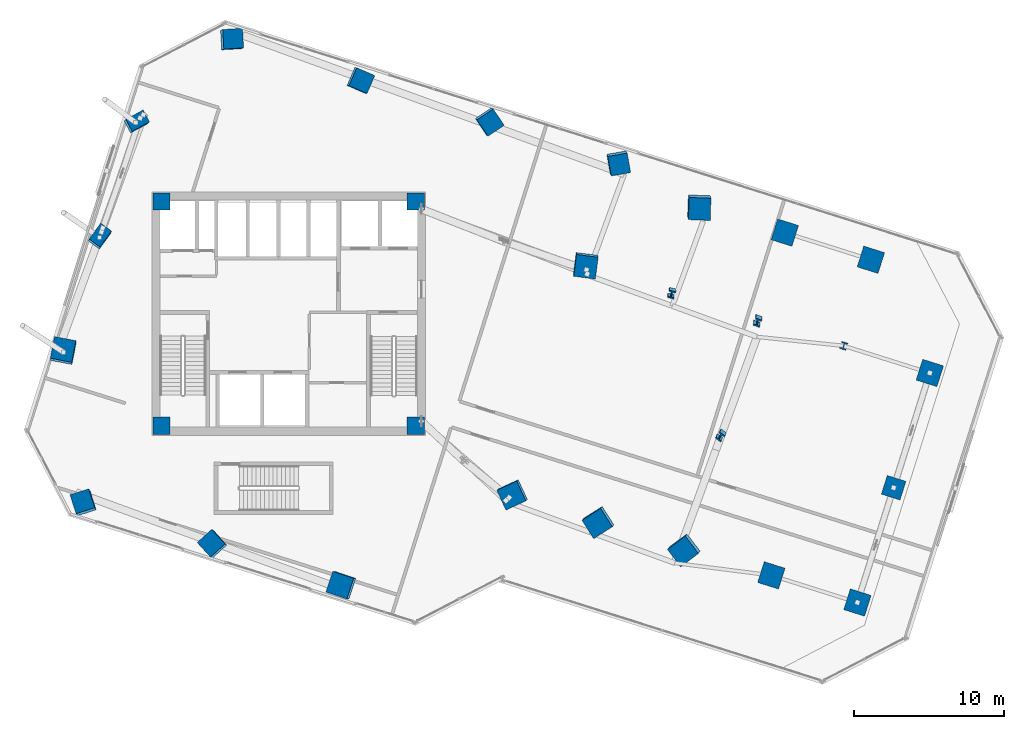
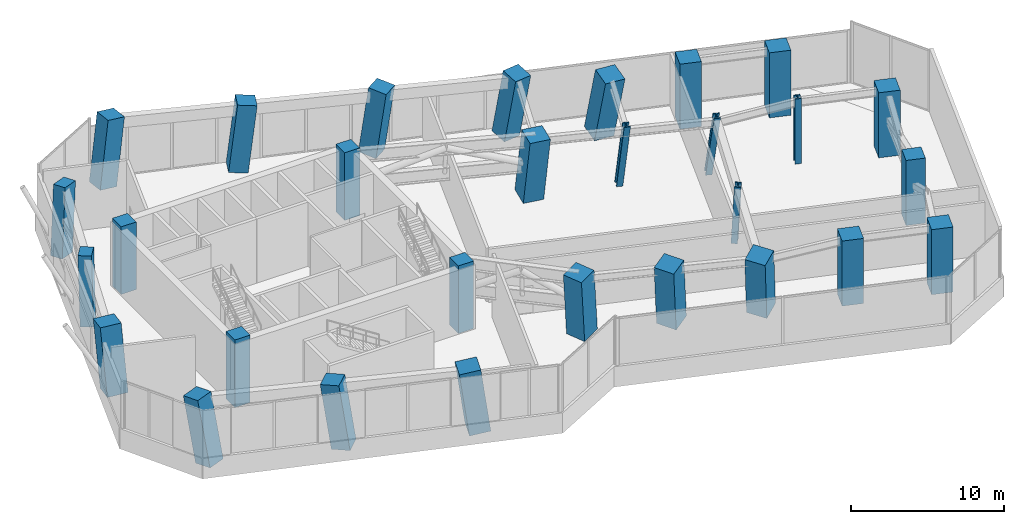
# One storey, part 1 of 29: 29 columns.
"""IFC4 building model written with IfcOpenShell, lengths in metres."""

from ifc_helpers import new_model, si_unit, direction, frame, origin, origin_2d, place, context, subcontext, project, spatial, rectangle, i_section, extrude, clip, halfspace, source, transform, mapped, material, material_profile, profile_set, type_object, element, save


model = new_model("IFC4")

# Units and contexts
model_context = context("Model", 3, precision=1e-05, world=origin(), true_north=direction((0.0, 1.0)))
body_context = subcontext(model_context, "Body", "Model", "MODEL_VIEW")
ifc_project = project(units=[si_unit("LENGTHUNIT", "METRE"), si_unit("AREAUNIT", "SQUARE_METRE"), si_unit("VOLUMEUNIT", "CUBIC_METRE"), si_unit("PLANEANGLEUNIT", "RADIAN"), si_unit("MASSUNIT", "GRAM", prefix="KILO")], contexts=[model_context])

# Site, building, storey
site_placement = place(None, origin())
site = spatial("IfcSite", under=ifc_project, at=site_placement, CompositionType="ELEMENT")
building_placement = place(site_placement, origin())
building = spatial("IfcBuilding", under=site, at=building_placement, Name="Torre Montelarca", CompositionType="ELEMENT")
storey_placement = place(building_placement, frame((0.0, 0.0, 122.199951171875)))
storey = spatial("IfcBuildingStorey", under=building, at=storey_placement, Name="L27", CompositionType="ELEMENT", Elevation=122.199951171875)

# Columns
ifc_material_1 = material(Name="Concrete C55/67", Category="concrete")
ifc_material_profile_1 = material_profile(ifc_material_1, rectangle(XDim=0.89990234375, YDim=1.300048828125, at=origin_2d()), Name="RC1300X900", Category="concrete")
ifc_profile_set_1 = profile_set([ifc_material_profile_1], Name="Concrete C55/67")
column_type_1 = type_object("IfcColumnType", Name="COL-PIL1300-EXT", PredefinedType="PILASTER", material=ifc_profile_set_1)
column_1_placement = place(storey_placement, frame((5.429931640625, 37.06689453125, 0.0), z_axis=(0.04336338825, 0.12771592965, 0.990862380895), x_axis=(0.807287857102, -0.588762554931, 0.040558225889)))
element("IfcColumn", 1, at=column_1_placement, inside=storey, type_object=column_type_1, Name="L27 Column 1W/E", PredefinedType="PILASTER", context=body_context, shape_type="Clipping", body=[
    clip(clip(extrude(rectangle(XDim=0.89990234375, YDim=1.300048828125, at=origin_2d()), origin(), (0.0, 0.0, 1.0), 5.449951171875), halfspace(frame((0.0, 0.0, 0.103515625), z_axis=(0.0, 0.0, -1.0), x_axis=(1.0, 0.0, 0.0)), False)), halfspace(frame((0.0, 0.0, 5.346435546875), z_axis=(0.0, 0.0, 1.0), x_axis=(1.0, 0.0, 0.0)), False)),
])
column_2_placement = place(storey_placement, frame((7.83544921875, 44.696533203125, 0.0), z_axis=(0.103805269581, 0.106934627407, 0.988832367729), x_axis=(0.477206893163, -0.877647545982, 0.044814798321)))
element("IfcColumn", 2, at=column_2_placement, inside=storey, type_object=column_type_1, Name="L27 Column 1W/F", PredefinedType="PILASTER", context=body_context, shape_type="Clipping", body=[
    clip(clip(extrude(rectangle(XDim=0.89990234375, YDim=1.300048828125, at=origin_2d()), origin(), (0.0, 0.0, 1.0), 5.461181640625), halfspace(frame((0.0, 0.0, 0.114501953125), z_axis=(0.0, 0.0, -1.0), x_axis=(1.0, 0.0, 0.0)), False)), halfspace(frame((0.0, 0.0, 5.3466796875), z_axis=(0.0, 0.0, 1.0), x_axis=(1.0, 0.0, 0.0)), False)),
])
ifc_material_2 = material(Name="Concrete C70/85", Category="concrete")
ifc_material_profile_2 = material_profile(ifc_material_2, rectangle(XDim=1.300048828125, YDim=1.300048828125, at=origin_2d()), Name="RC1300X1300", Category="concrete")
ifc_profile_set_2 = profile_set([ifc_material_profile_2], Name="Concrete C70/85")
column_type_2 = type_object("IfcColumnType", Name="COL-RC1300-EXT", PredefinedType="COLUMN", material=ifc_profile_set_2)
column_3_placement = place(storey_placement, frame((4.406494140625, 19.35498046875, 0.0), z_axis=(-0.09771423164, 0.138261404824, 0.985563652369), x_axis=(0.94988927033, 0.308412767645, 0.050911087835)))
element("IfcColumn", 3, at=column_3_placement, inside=storey, type_object=column_type_2, Name="L27 Column 2/CS", PredefinedType="COLUMN", context=body_context, shape_type="Clipping", body=[
    clip(clip(extrude(rectangle(XDim=1.300048828125, YDim=1.300048828125, at=origin_2d()), origin(), (0.0, 0.0, 1.0), 5.479248046875), halfspace(frame((0.0, 0.0, 0.140869140625), z_axis=(0.0, 0.0, -1.0), x_axis=(1.0, 0.0, 0.0)), False)), halfspace(frame((0.0, 0.0, 5.33837890625), z_axis=(0.0, 0.0, 1.0), x_axis=(1.0, 0.0, 0.0)), False)),
])
column_4_placement = place(storey_placement, frame((14.13427734375, 50.20751953125, 0.0), z_axis=(0.146501299411, 0.055635665671, 0.987644694197), x_axis=(0.060948235274, -0.997027925569, 0.047123542444)))
element("IfcColumn", 4, at=column_4_placement, inside=storey, type_object=column_type_2, Name="L27 Column 2/GN", PredefinedType="COLUMN", context=body_context, shape_type="Clipping", body=[
    clip(clip(extrude(rectangle(XDim=1.300048828125, YDim=1.300048828125, at=origin_2d()), origin(), (0.0, 0.0, 1.0), 5.4677734375), halfspace(frame((0.0, 0.0, 0.130126953125), z_axis=(0.0, 0.0, -1.0), x_axis=(1.0, 0.0, 0.0)), False)), halfspace(frame((0.0, 0.0, 5.337646484375), z_axis=(0.0, 0.0, 1.0), x_axis=(1.0, 0.0, 0.0)), False)),
])
column_5_placement = place(storey_placement, frame((12.989990234375, 16.6484375, 0.0), z_axis=(-0.121304858025, 0.070768627504, 0.990089355958), x_axis=(0.737750355409, 0.673751419219, 0.042230773063)))
element("IfcColumn", 5, at=column_5_placement, inside=storey, type_object=column_type_2, Name="L27 Column 3/CS", PredefinedType="COLUMN", context=body_context, shape_type="Clipping", body=[
    clip(clip(extrude(rectangle(XDim=1.300048828125, YDim=1.300048828125, at=origin_2d()), origin(), (0.0, 0.0, 1.0), 5.4541015625), halfspace(frame((0.0, 0.0, 0.116455078125), z_axis=(0.0, 0.0, -1.0), x_axis=(1.0, 0.0, 0.0)), False)), halfspace(frame((0.0, 0.0, 5.337646484375), z_axis=(0.0, 0.0, 1.0), x_axis=(1.0, 0.0, 0.0)), False)),
])
column_6_placement = place(storey_placement, frame((22.7177734375, 47.501220703125, 0.0), z_axis=(0.12398644316, -0.012470416497, 0.992205548576), x_axis=(-0.392306422919, -0.919071027452, 0.037471549678)))
element("IfcColumn", 6, at=column_6_placement, inside=storey, type_object=column_type_2, Name="L27 Column 3/GN", PredefinedType="COLUMN", context=body_context, shape_type="Clipping", body=[
    clip(clip(extrude(rectangle(XDim=1.300048828125, YDim=1.300048828125, at=origin_2d()), origin(), (0.0, 0.0, 1.0), 5.442626953125), halfspace(frame((0.0, 0.0, 0.103271484375), z_axis=(0.0, 0.0, -1.0), x_axis=(1.0, 0.0, 0.0)), False)), halfspace(frame((0.0, 0.0, 5.33935546875), z_axis=(0.0, 0.0, 1.0), x_axis=(1.0, 0.0, 0.0)), False)),
])
column_7_placement = place(storey_placement, frame((31.301025390625, 44.794921875, 0.0), z_axis=(0.100781109413, -0.080741449311, 0.9916269391), x_axis=(-0.829021353001, -0.557867085227, 0.038831836026)))
element("IfcColumn", 7, at=column_7_placement, inside=storey, type_object=column_type_2, Name="L27 Column 4/GN", PredefinedType="COLUMN", context=body_context, shape_type="Clipping", body=[
    clip(clip(extrude(rectangle(XDim=1.300048828125, YDim=1.300048828125, at=origin_2d()), origin(), (0.0, 0.0, 1.0), 5.44580078125), halfspace(frame((0.0, 0.0, 0.10693359375), z_axis=(0.0, 0.0, -1.0), x_axis=(1.0, 0.0, 0.0)), False)), halfspace(frame((0.0, 0.0, 5.3388671875), z_axis=(0.0, 0.0, 1.0), x_axis=(1.0, 0.0, 0.0)), False)),
])
column_8_placement = place(storey_placement, frame((39.884521484375, 42.088623046875, 0.0), z_axis=(0.077158814272, -0.148166319261, 0.985947898835), x_axis=(-0.982829934342, -0.177544027357, 0.050233838302)))
element("IfcColumn", 8, at=column_8_placement, inside=storey, type_object=column_type_2, Name="L27 Column 5/GN", PredefinedType="COLUMN", context=body_context, shape_type="Clipping", body=[
    clip(clip(extrude(rectangle(XDim=1.300048828125, YDim=1.300048828125, at=origin_2d()), origin(), (0.0, 0.0, 1.0), 5.47705078125), halfspace(frame((0.0, 0.0, 0.138916015625), z_axis=(0.0, 0.0, -1.0), x_axis=(1.0, 0.0, 0.0)), False)), halfspace(frame((0.0, 0.0, 5.338134765625), z_axis=(0.0, 0.0, 1.0), x_axis=(1.0, 0.0, 0.0)), False)),
])
ifc_material_profile_3 = material_profile(ifc_material_2, rectangle(XDim=1.449951171875, YDim=1.449951171875, at=origin_2d()), Name="RC1450X1450", Category="concrete")
ifc_profile_set_3 = profile_set([ifc_material_profile_3], Name="Concrete C70/85")
column_type_3 = type_object("IfcColumnType", Name="COL-RC1450", PredefinedType="COLUMN", material=ifc_profile_set_3)
for number, where, z_axis, x_axis, name in (
    (9, (32.923095703125, 20.010009765625, 0.0), (-0.097956530898, -0.089352846574, 0.991171320642), (-0.422523517598, 0.905474614008, 0.039869793881), "L27 Column 5/D"),
    (10, (37.734619140625, 35.26953125, 0.0), (0.023346263577, -0.130577758281, 0.9911631556), (-0.991286264564, 0.12554074093, 0.039888144261), "L27 Column 5/F"),
):
    element("IfcColumn", number, at=place(storey_placement, frame(where, z_axis=z_axis, x_axis=x_axis)), inside=storey, type_object=column_type_3, Name=name, PredefinedType="COLUMN", context=body_context, shape_type="Clipping", body=[
        clip(clip(extrude(rectangle(XDim=1.449951171875, YDim=1.449951171875, at=origin_2d()), origin(), (0.0, 0.0, 1.0), 5.4482421875), halfspace(frame((0.0, 0.0, 0.122314453125), z_axis=(0.0, 0.0, -1.0), x_axis=(1.0, 0.0, 0.0)), False)), halfspace(frame((0.0, 0.0, 5.325927734375), z_axis=(0.0, 0.0, 1.0), x_axis=(1.0, 0.0, 0.0)), False)),
    ])
column_9_placement = place(storey_placement, frame((38.6455078125, 18.205810546875, 0.0), z_axis=(-0.112659680016, -0.133980891682, 0.984559250204), x_axis=(-0.539415178106, 0.840393001033, 0.052639048661)))
element("IfcColumn", 11, at=column_9_placement, inside=storey, type_object=column_type_3, Name="L27 Column 6/D", PredefinedType="COLUMN", context=body_context, shape_type="Clipping", body=[
    clip(clip(extrude(rectangle(XDim=1.449951171875, YDim=1.449951171875, at=origin_2d()), origin(), (0.0, 0.0, 1.0), 5.48486328125), halfspace(frame((0.0, 0.0, 0.162353515625), z_axis=(0.0, 0.0, -1.0), x_axis=(1.0, 0.0, 0.0)), False)), halfspace(frame((0.0, 0.0, 5.322509765625), z_axis=(0.0, 0.0, 1.0), x_axis=(1.0, 0.0, 0.0)), False)),
])
column_10_placement = place(storey_placement, frame((45.260986328125, 39.1875, 0.0), z_axis=(0.052838127641, -0.189410502862, 0.98047528968), x_axis=(-0.997865082281, 0.027726242647, 0.059131489349)))
element("IfcColumn", 12, at=column_10_placement, inside=storey, type_object=column_type_3, Name="L27 Column 6/G", PredefinedType="COLUMN", context=body_context, shape_type="Clipping", body=[
    clip(clip(extrude(rectangle(XDim=1.449951171875, YDim=1.449951171875, at=origin_2d()), origin(), (0.0, 0.0, 1.0), 5.507568359375), halfspace(frame((0.0, 0.0, 0.18310546875), z_axis=(0.0, 0.0, -1.0), x_axis=(1.0, 0.0, 0.0)), False)), halfspace(frame((0.0, 0.0, 5.324462890625), z_axis=(0.0, 0.0, 1.0), x_axis=(1.0, 0.0, 0.0)), False)),
])
column_11_placement = place(storey_placement, frame((44.367919921875, 16.401611328125, 0.0), z_axis=(-0.126889220924, -0.177583141244, 0.975891056194), x_axis=(-0.605373038396, 0.793231359264, 0.06563150968)))
element("IfcColumn", 13, at=column_11_placement, inside=storey, type_object=column_type_3, Name="L27 Column 7/D", PredefinedType="COLUMN", context=body_context, shape_type="Clipping", body=[
    clip(clip(extrude(rectangle(XDim=1.449951171875, YDim=1.449951171875, at=origin_2d()), origin(), (0.0, 0.0, 1.0), 5.533447265625), halfspace(frame((0.0, 0.0, 0.2041015625), z_axis=(0.0, 0.0, -1.0), x_axis=(1.0, 0.0, 0.0)), False)), halfspace(frame((0.0, 0.0, 5.329345703125), z_axis=(0.0, 0.0, 1.0), x_axis=(1.0, 0.0, 0.0)), False)),
])
ifc_material_profile_4 = material_profile(ifc_material_2, rectangle(XDim=1.449951171875, YDim=1.449951171875, at=origin_2d()), Name="RC1450X1450", Category="concrete")
ifc_profile_set_4 = profile_set([ifc_material_profile_4], Name="Concrete C70/85")
column_type_4 = type_object("IfcColumnType", Name="COL-RC1450-EXT", PredefinedType="COLUMN", material=ifc_profile_set_4)
column_12_placement = place(storey_placement, frame((21.5732421875, 13.942138671875, 0.0), z_axis=(-0.14432009632, 0.002594719649, 0.989527653594), x_axis=(0.314652655865, 0.94821396347, 0.043404903384)))
element("IfcColumn", 14, at=column_12_placement, inside=storey, type_object=column_type_4, Name="L27 Perimeter Mega Column 4/CS", PredefinedType="COLUMN", context=body_context, shape_type="Clipping", body=[
    clip(clip(extrude(rectangle(XDim=1.449951171875, YDim=1.449951171875, at=origin_2d()), origin(), (0.0, 0.0, 1.0), 5.457275390625), halfspace(frame((0.0, 0.0, 0.13330078125), z_axis=(0.0, 0.0, -1.0), x_axis=(1.0, 0.0, 0.0)), False)), halfspace(frame((0.0, 0.0, 5.323974609375), z_axis=(0.0, 0.0, 1.0), x_axis=(1.0, 0.0, 0.0)), False)),
])
column_13_placement = place(storey_placement, frame((3.024169921875, 29.437255859375, 0.0), z_axis=(-0.017256201276, 0.148018866387, 0.988833979347), x_axis=(0.981733191996, -0.184910415573, 0.044811582715)))
element("IfcColumn", 15, at=column_13_placement, inside=storey, type_object=column_type_4, Name="L27 Perimeter Mega Column 1W/D", PredefinedType="COLUMN", context=body_context, shape_type="Clipping", body=[
    clip(clip(extrude(rectangle(XDim=1.449951171875, YDim=1.449951171875, at=origin_2d()), origin(), (0.0, 0.0, 1.0), 5.461181640625), halfspace(frame((0.0, 0.0, 0.1376953125), z_axis=(0.0, 0.0, -1.0), x_axis=(1.0, 0.0, 0.0)), False)), halfspace(frame((0.0, 0.0, 5.323486328125), z_axis=(0.0, 0.0, 1.0), x_axis=(1.0, 0.0, 0.0)), False)),
])
ifc_material_3 = material(Name="Steel ASTM A992 Grade 50", Category="steel")
ifc_material_profile_5 = material_profile(ifc_material_3, i_section(OverallWidth=0.431884765625, OverallDepth=0.498046875, WebThickness=0.0556640625, FlangeThickness=0.0888671875, FilletRadius=0.014892578125, at=origin_2d()), Name="W360X744", Category="steel")
ifc_profile_set_5 = profile_set([ifc_material_profile_5], Name="Steel ASTM A992 Grade 50")
column_type_5 = type_object("IfcColumnType", Name="COL-W360X744", PredefinedType="COLUMN", material=ifc_profile_set_5)
column_14_placement = place(storey_placement, frame((43.456787109375, 33.46533203125, 0.0), z_axis=(0.007878592552, -0.174886949933, 0.984556998108), x_axis=(-0.966074622058, 0.252840966171, 0.052642857461)))
element("IfcColumn", 16, at=column_14_placement, inside=storey, type_object=column_type_5, Name="L27 Column 6/F", PredefinedType="COLUMN", context=body_context, shape_type="Clipping", body=[
    clip(clip(extrude(i_section(OverallWidth=0.431884765625, OverallDepth=0.498046875, WebThickness=0.0556640625, FlangeThickness=0.0888671875, FilletRadius=0.014892578125, at=origin_2d()), origin(), (0.0, 0.0, 1.0), 5.48486328125), halfspace(frame((0.0, 0.0, 0.054443359375), z_axis=(0.0, 0.0, -1.0), x_axis=(1.0, 0.0, 0.0)), False)), halfspace(frame((0.0, 0.0, 5.430419921875), z_axis=(0.0, 0.0, 1.0), x_axis=(1.0, 0.0, 0.0)), False)),
])
column_15_placement = place(storey_placement, frame((46.7734375, 24.03125, 0.0), z_axis=(-0.067285029027, -0.198230006674, 0.977843335777), x_axis=(-0.808599445891, 0.584982341111, 0.062949159587)))
element("IfcColumn", 17, at=column_15_placement, inside=storey, type_object=column_type_5, Name="L27 Column 7/E", PredefinedType="COLUMN", context=body_context, shape_type="Clipping", body=[
    clip(clip(extrude(i_section(OverallWidth=0.431884765625, OverallDepth=0.498046875, WebThickness=0.0556640625, FlangeThickness=0.0888671875, FilletRadius=0.014892578125, at=origin_2d()), origin(), (0.0, 0.0, 1.0), 5.5224609375), halfspace(frame((0.0, 0.0, 0.0654296875), z_axis=(0.0, 0.0, -1.0), x_axis=(1.0, 0.0, 0.0)), False)), halfspace(frame((0.0, 0.0, 5.45703125), z_axis=(0.0, 0.0, 1.0), x_axis=(1.0, 0.0, 0.0)), False)),
])
column_16_placement = place(storey_placement, frame((49.17919921875, 31.660888671875, 0.0), z_axis=(-0.007456359889, -0.218087496632, 0.975900735992), x_axis=(-0.943132584955, 0.325875958776, 0.065618493484)))
element("IfcColumn", 18, at=column_16_placement, inside=storey, type_object=column_type_5, Name="L27 Column 7/F", PredefinedType="COLUMN", context=body_context, shape_type="Clipping", body=[
    clip(clip(extrude(i_section(OverallWidth=0.431884765625, OverallDepth=0.498046875, WebThickness=0.0556640625, FlangeThickness=0.0888671875, FilletRadius=0.014892578125, at=origin_2d()), origin(), (0.0, 0.0, 1.0), 5.533447265625), halfspace(frame((0.0, 0.0, 0.068359375), z_axis=(0.0, 0.0, -1.0), x_axis=(1.0, 0.0, 0.0)), False)), halfspace(frame((0.0, 0.0, 5.465087890625), z_axis=(0.0, 0.0, 1.0), x_axis=(1.0, 0.0, 0.0)), False)),
])
ifc_material_profile_6 = material_profile(ifc_material_1, rectangle(XDim=1.14990234375, YDim=1.14990234375, at=origin_2d()), Name="RC1150X1150", Category="concrete")
ifc_profile_set_6 = profile_set([ifc_material_profile_6], Name="Concrete C55/67")
column_type_6 = type_object("IfcColumnType", Name="COL-RC1150", PredefinedType="COLUMN", material=ifc_profile_set_6)
shared_shape_1 = source(origin(), body_context, "Body", "SweptSolid", [
    extrude(rectangle(XDim=1.14990234375, YDim=1.14990234375, at=origin_2d()), origin(), (0.0, 0.0, 1.0), 5.398681640625),
])
for number, where, z_axis, x_axis, name in (
    (19, (9.550048828125, 24.550048828125, 0.000732421875), (0.0, 0.0, 1.0), (1.0, 0.0, 0.0), "L27 Plumb Core Corner Column 2D"),
    (20, (26.449951171875, 24.550048828125, 0.000732421875), (0.0, 0.0, 1.0), (1.0, 0.0, 0.0), "L27 Plumb Core Corner Column 4D"),
    (21, (9.550048828125, 39.449951171875, 0.000732421875), (0.0, 0.0, 1.0), (1.0, 0.0, 0.0), "L27 Plumb Core Corner Column 2F"),
    (22, (26.449951171875, 39.449951171875, 0.000732421875), (0.0, 0.0, 1.0), (1.0, 0.0, 0.0), "L27 Plumb Core Corner Column 4F"),
):
    element("IfcColumn", number, at=place(storey_placement, frame(where, z_axis=z_axis, x_axis=x_axis)), inside=storey, type_object=column_type_6, Name=name, PredefinedType="COLUMN", context=body_context, shape_type="MappedRepresentation", body=[
        mapped(shared_shape_1, transform((0.0, 0.0, 0.0), scale=1.0)),
    ])
shared_shape_2 = source(origin(), body_context, "Body", "SweptSolid", [
    extrude(rectangle(XDim=1.449951171875, YDim=1.449951171875, at=origin_2d()), origin(), (0.0, 0.0, 1.0), 5.19921875),
])
for number, where, z_axis, x_axis, name in (
    (23, (50.9833984375, 37.38330078125, 0.000732421875), (0.0, 0.0, 1.0), (-0.953716950748, 0.300705799504, 0.0), "L27 Column 7/G"),
    (24, (50.090087890625, 14.597412109375, 0.000732421875), (0.0, 0.0, 1.0), (-0.953716950748, 0.300705799504, 0.0), "L27 Column 8/D"),
    (25, (56.705810546875, 35.5791015625, 0.000732421875), (0.0, 0.0, 1.0), (-0.953716950748, 0.300705799504, 0.0), "L27 Column 8/G"),
):
    element("IfcColumn", number, at=place(storey_placement, frame(where, z_axis=z_axis, x_axis=x_axis)), inside=storey, type_object=column_type_3, Name=name, PredefinedType="COLUMN", context=body_context, shape_type="MappedRepresentation", body=[
        mapped(shared_shape_2, transform((0.0, 0.0, 0.0), scale=1.0)),
    ])
shared_shape_3 = source(origin(), body_context, "Body", "SweptSolid", [
    extrude(i_section(OverallWidth=0.431884765625, OverallDepth=0.498046875, WebThickness=0.0556640625, FlangeThickness=0.0888671875, FilletRadius=0.014892578125, at=origin_2d()), origin(), (0.0, 0.0, 1.0), 5.19921875),
])
column_17_placement = place(storey_placement, frame((54.9013671875, 29.856689453125, 0.000732421875), z_axis=(0.0, 0.0, 1.0), x_axis=(-0.953716950748, 0.300705799504, 0.0)))
element("IfcColumn", 26, at=column_17_placement, inside=storey, type_object=column_type_5, Name="L27 Column 8/F", PredefinedType="COLUMN", context=body_context, shape_type="MappedRepresentation", body=[
    mapped(shared_shape_3, transform((0.0, 0.0, 0.0), scale=1.0)),
])
shared_shape_4 = source(origin(), body_context, "Body", "SweptSolid", [
    extrude(rectangle(XDim=1.449951171875, YDim=1.449951171875, at=origin_2d()), origin(), (0.0, 0.0, 1.0), 5.19921875),
])
for number, where, z_axis, x_axis, name in (
    (27, (55.8125, 12.793212890625, 0.000732421875), (0.0, 0.0, 1.0), (-0.953716950748, 0.300705799504, 0.0), "L27 Perimeter Mega Column 9/D"),
    (28, (60.623779296875, 28.052490234375, 0.000732421875), (0.0, 0.0, 1.0), (-0.953716950748, 0.300705799504, 0.0), "L27 Perimeter Mega Column 9/F"),
):
    element("IfcColumn", number, at=place(storey_placement, frame(where, z_axis=z_axis, x_axis=x_axis)), inside=storey, type_object=column_type_4, Name=name, PredefinedType="COLUMN", context=body_context, shape_type="MappedRepresentation", body=[
        mapped(shared_shape_4, transform((0.0, 0.0, 0.0), scale=1.0)),
    ])
shared_shape_5 = source(origin(), body_context, "Body", "SweptSolid", [
    extrude(rectangle(XDim=1.300048828125, YDim=1.300048828125, at=origin_2d()), origin(), (0.0, 0.0, 1.0), 5.19921875),
])
column_18_placement = place(storey_placement, frame((58.218017578125, 20.4228515625, 0.000732421875), z_axis=(0.0, 0.0, 1.0), x_axis=(-0.953716950748, 0.300705799504, 0.0)))
element("IfcColumn", 29, at=column_18_placement, inside=storey, type_object=column_type_2, Name="L27 Column 9/E", PredefinedType="COLUMN", context=body_context, shape_type="MappedRepresentation", body=[
    mapped(shared_shape_5, transform((0.0, 0.0, 0.0), scale=1.0)),
])

save(model, "model.ifc")
